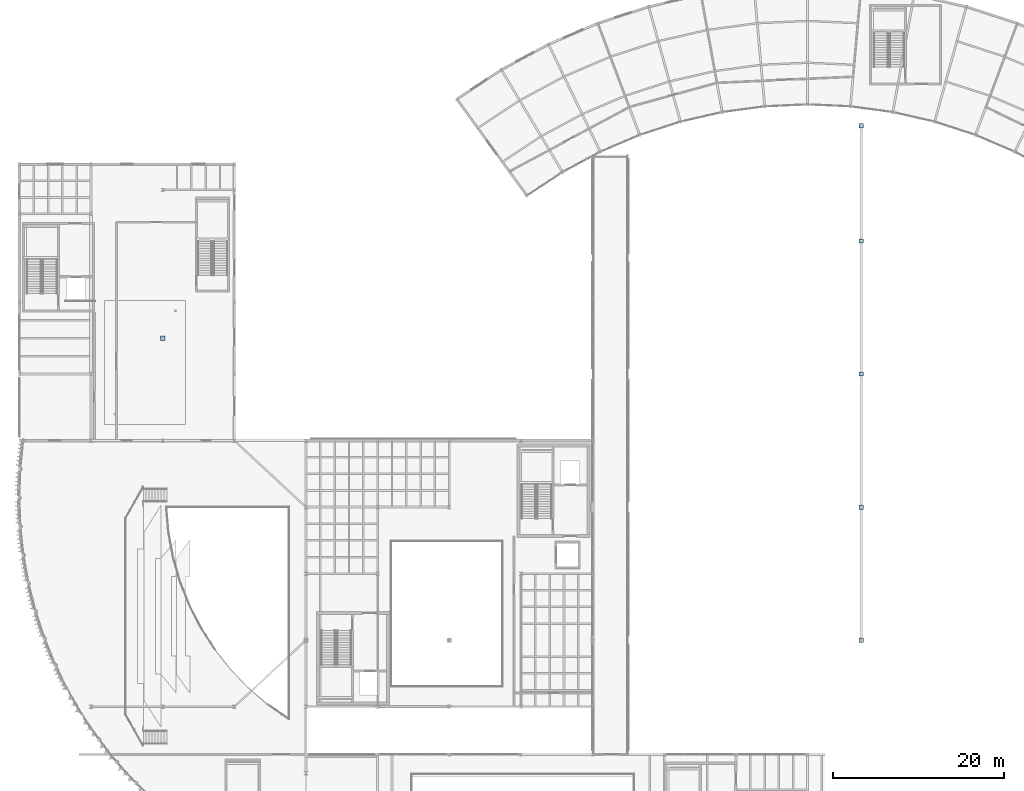
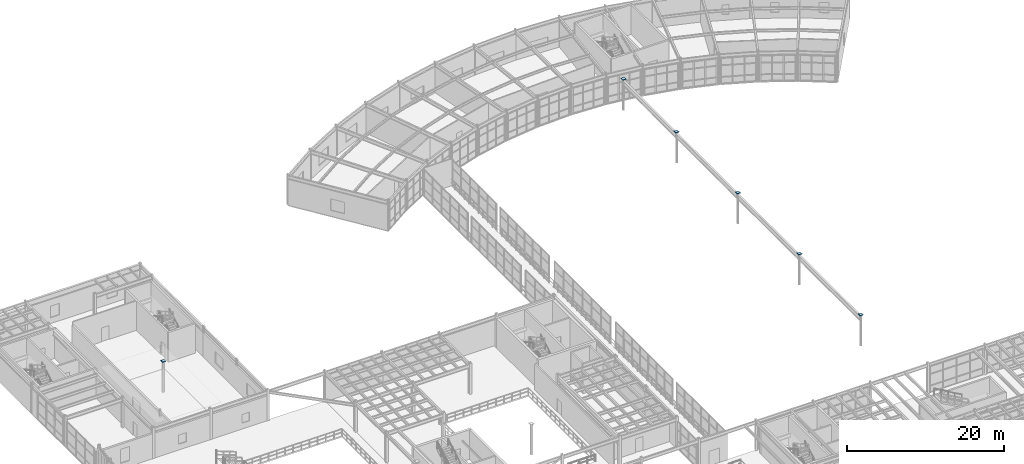
# One storey, part 93 of 116: 6 plates.
"""IFC4 building model written with IfcOpenShell, lengths in metres."""

import ifcopenshell
import ifcopenshell.guid

model = None  # the IFC model being written
_history = None  # IfcOwnerHistory: only IFC2X3 demands one
_inside = {}  # id of a spatial element -> (the spatial element, [elements in it])
_under = {}  # id of a project, library or spatial element -> (it, [spatial elements below it])
_declared = {}  # id of a project -> (the project, [libraries it declares])
_typed = {}  # id of a type object -> (the type object, [elements of that type])
_made_of = {}  # id of a material, layer set ... -> (it, [elements and type objects made of it])


def new_model(schema):
    """Start an empty IFC model of exactly this schema.

    Asked for "IFC4X3", IfcOpenShell would pick the latest addendum, in which some entities
    have other attributes; the version numbers below select the first issue.
    IFC2X3 requires an IfcOwnerHistory on every rooted entity: one is made here for all.
    """
    global model, _history
    if schema == "IFC4X3":
        model = ifcopenshell.file(schema_version=(4, 3, 0, 0))
    else:
        model = ifcopenshell.file(schema=schema)
    _inside.clear()
    _under.clear()
    _declared.clear()
    _typed.clear()
    _made_of.clear()
    _history = None
    if model.schema == "IFC2X3":
        org = make("IfcOrganization", Name="unknown")
        user = make(
            "IfcPersonAndOrganization",
            ThePerson=make("IfcPerson", FamilyName="unknown"),
            TheOrganization=org,
        )
        app = make(
            "IfcApplication",
            ApplicationDeveloper=org,
            Version="unknown",
            ApplicationFullName="unknown",
            ApplicationIdentifier="unknown",
        )
        _history = make(
            "IfcOwnerHistory",
            OwningUser=user,
            OwningApplication=app,
            ChangeAction="ADDED",
            CreationDate=0,
        )
    return model


def make(cls, **values):
    """One entity of the class cls with the attributes given. An attribute that is None is left unset."""
    return model.create_entity(
        cls, **{name: value for name, value in values.items() if value is not None}
    )


def rooted(cls, **values):
    """An entity with a GlobalId (a new one), such as an element, a storey or a relation."""
    return make(cls, GlobalId=ifcopenshell.guid.new(), OwnerHistory=_history, **values)


def si_unit(unit_type, name, prefix=None):
    """IfcSIUnit, for example si_unit("LENGTHUNIT", "METRE", prefix="MILLI")."""
    return make("IfcSIUnit", UnitType=unit_type, Prefix=prefix, Name=name)


def assignment(units):
    """IfcUnitAssignment: the units of a project."""
    return None if units is None else make("IfcUnitAssignment", Units=units)


def point(xyz):
    """IfcCartesianPoint."""
    return None if xyz is None else make("IfcCartesianPoint", Coordinates=xyz)


def direction(xyz):
    """IfcDirection."""
    return None if xyz is None else make("IfcDirection", DirectionRatios=xyz)


def frame(location, z_axis=None, x_axis=None):
    """IfcAxis2Placement3D, a coordinate frame: its origin and axes. An axis left out is left unset."""
    return make(
        "IfcAxis2Placement3D",
        Location=point(location),
        Axis=direction(z_axis),
        RefDirection=direction(x_axis),
    )


def frame_2d(location, x_axis=None):
    """IfcAxis2Placement2D, a coordinate frame in the plane: its origin and x axis."""
    return make(
        "IfcAxis2Placement2D", Location=point(location), RefDirection=direction(x_axis)
    )


def origin():
    """The frame at (0, 0, 0) with its axes left unset."""
    return frame((0.0, 0.0, 0.0))


def origin_2d():
    """The frame at (0, 0) in the plane with its x axis left unset."""
    return frame_2d((0.0, 0.0))


def place(relative_to, where):
    """IfcLocalPlacement: puts the frame where relative to a parent placement (None: the world)."""
    return make(
        "IfcLocalPlacement", PlacementRelTo=relative_to, RelativePlacement=where
    )


def context(
    kind, dimensions, precision=None, world=None, true_north=None, identifier=None
):
    """IfcGeometricRepresentationContext, for example the 3D "Model" context."""
    return make(
        "IfcGeometricRepresentationContext",
        ContextIdentifier=identifier,
        ContextType=kind,
        CoordinateSpaceDimension=dimensions,
        Precision=precision,
        WorldCoordinateSystem=world,
        TrueNorth=true_north,
    )


def subcontext(parent, identifier, kind, view, scale=None):
    """IfcGeometricRepresentationSubContext, for example "Body" below "Model"."""
    return make(
        "IfcGeometricRepresentationSubContext",
        ContextIdentifier=identifier,
        ContextType=kind,
        ParentContext=parent,
        TargetScale=scale,
        TargetView=view,
    )


def project(units=None, contexts=None):
    """IfcProject with its units and contexts."""
    return rooted(
        "IfcProject",
        Name="project",
        RepresentationContexts=contexts,
        UnitsInContext=assignment(units),
    )


def spatial(cls, under=None, at=None, **own):
    """A site, building, storey or space (cls), placed at a placement, below another one or the project."""
    s = rooted(cls, ObjectPlacement=at, **own)
    if under is not None:
        _under.setdefault(under.id(), (under, []))[1].append(s)
    return s


def profile(cls, at=None, kind="AREA", **sizes):
    """A parametric profile (cls). Its sizes go by their IFC names, for example OverallWidth=200.0."""
    return make(cls, ProfileType=kind, Position=at, **sizes)


def rectangle(**sizes):
    """IfcRectangleProfileDef."""
    return profile("IfcRectangleProfileDef", **sizes)


def extrude(swept, where, along, depth):
    """IfcExtrudedAreaSolid: the profile swept, set in the frame where, extruded along a direction by depth."""
    return make(
        "IfcExtrudedAreaSolid",
        SweptArea=swept,
        Position=where,
        ExtrudedDirection=direction(along),
        Depth=depth,
    )


def shape(context_of_items, identifier, shape_type, items):
    """IfcShapeRepresentation: the items that make up one representation, for example the "Body"."""
    return make(
        "IfcShapeRepresentation",
        ContextOfItems=context_of_items,
        RepresentationIdentifier=identifier,
        RepresentationType=shape_type,
        Items=items,
    )


def material(Name=None, Category=None):
    """IfcMaterial."""
    return make("IfcMaterial", Name=Name, Category=Category)


def layer(
    of_material, thickness, ventilated=None, Name=None, Category=None, Priority=None
):
    """IfcMaterialLayer: one layer of a wall or slab, of a material (None: an air gap)."""
    return make(
        "IfcMaterialLayer",
        Material=of_material,
        LayerThickness=thickness,
        IsVentilated=ventilated,
        Name=Name,
        Category=Category,
        Priority=Priority,
    )


def layer_set(layers, Name=None):
    """IfcMaterialLayerSet."""
    return make("IfcMaterialLayerSet", MaterialLayers=layers, LayerSetName=Name)


def made_of(thing, what):
    """Note that an element or type object is made of a material, layer set ...; save() writes the relation."""
    if what is not None:
        _made_of.setdefault(what.id(), (what, []))[1].append(thing)
    return thing


def type_object(cls, material=None, **own):
    """A type object (cls), such as IfcWallType, which elements share."""
    return made_of(rooted(cls, **own), material)


def element(
    cls,
    number,
    at=None,
    inside=None,
    cuts=None,
    type_object=None,
    material=None,
    context=None,
    identifier="Body",
    shape_type=None,
    held_by="IfcProductDefinitionShape",
    body=None,
    shapes=None,
    **own,
):
    """One element of the class cls, such as IfcWall. Its Tag is "e" and its number.

    at: its placement. inside: the storey or other place that contains it. cuts: it is an
    opening in that element (IfcRelVoidsElement). A single representation is given by context,
    identifier, shape_type and body (its items); several are given by shapes. held_by: the class
    of the entity that holds the representations. save() writes the other relations.
    """
    e = rooted(cls, Tag="e%d" % number, ObjectPlacement=at, **own)
    if body is not None:
        shapes = [shape(context, identifier, shape_type, body)]
    if shapes is not None:
        e.Representation = make(held_by, Representations=shapes)
    if inside is not None:
        _inside.setdefault(inside.id(), (inside, []))[1].append(e)
    if cuts is not None:
        rooted(
            "IfcRelVoidsElement", RelatingBuildingElement=cuts, RelatedOpeningElement=e
        )
    if type_object is not None:
        _typed.setdefault(type_object.id(), (type_object, []))[1].append(e)
    return made_of(e, material)


def aggregate(whole, parts):
    """IfcRelAggregates: a whole, such as a stair, and the parts it consists of."""
    return rooted("IfcRelAggregates", RelatingObject=whole, RelatedObjects=parts)


def save(model, path):
    """Write the relations noted so far, then the file.

    IfcRelAggregates (storeys below a building ...), IfcRelContainedInSpatialStructure (elements
    in a storey), IfcRelDefinesByType, IfcRelAssociatesMaterial and IfcRelDeclares: one each for
    every whole, place, type object, material and project.
    """
    for whole, parts in _under.values():
        aggregate(whole, parts)
    for where, things in _inside.values():
        rooted(
            "IfcRelContainedInSpatialStructure",
            RelatedElements=things,
            RelatingStructure=where,
        )
    for kind, things in _typed.values():
        rooted("IfcRelDefinesByType", RelatedObjects=things, RelatingType=kind)
    for what, things in _made_of.values():
        rooted("IfcRelAssociatesMaterial", RelatedObjects=things, RelatingMaterial=what)
    for by, libraries in _declared.values():
        rooted("IfcRelDeclares", RelatingContext=by, RelatedDefinitions=libraries)
    model.write(path)


model = new_model("IFC4")

# Units and contexts
model_context = context("Model", 3, precision=1e-05, world=origin(), true_north=direction((0.0, 1.0)))
body_context = subcontext(model_context, "Body", "Model", "MODEL_VIEW")
ifc_project = project(units=[si_unit("LENGTHUNIT", "METRE"), si_unit("AREAUNIT", "SQUARE_METRE"), si_unit("VOLUMEUNIT", "CUBIC_METRE"), si_unit("PLANEANGLEUNIT", "RADIAN"), si_unit("MASSUNIT", "GRAM", prefix="KILO")], contexts=[model_context])

# Site, building, storey
site_placement = place(None, origin())
site = spatial("IfcSite", under=ifc_project, at=site_placement, CompositionType="ELEMENT")
building_placement = place(site_placement, origin())
building = spatial("IfcBuilding", under=site, at=building_placement, Name="Selat Folded Stagehouse", CompositionType="ELEMENT")
storey_placement = place(building_placement, frame((0.0, 0.0, 5.39990234375)))
storey = spatial("IfcBuildingStorey", under=building, at=storey_placement, Name="L01", CompositionType="ELEMENT", Elevation=5.39990234375)

# Plates
ifc_material = material(Name="Steel S355", Category="steel")
ifc_layer = layer(ifc_material, 0.02490234375)
ifc_layer_set = layer_set([ifc_layer], Name="Steel S355")
plate_type = type_object("IfcPlateType", Name="PLT-BASE-500x500x25", PredefinedType="USERDEFINED", material=ifc_layer_set)
for number, where, z_axis, x_axis, name in (
    (1, (98.699951171875, 31.199951171875, 4.800048828125), (0.0, 0.0, 1.0), (1.0, 0.0, 0.0), "Hollow column end cap plate STK-BR2-312"),
    (2, (98.699951171875, 46.800048828125, 4.800048828125), (0.0, 0.0, 1.0), (1.0, 0.0, 0.0), "Hollow column end cap plate STK-BR2-468"),
    (3, (98.699951171875, 62.39990234375, 4.800048828125), (0.0, 0.0, 1.0), (1.0, 0.0, 0.0), "Hollow column end cap plate STK-BR2-624"),
    (4, (98.699951171875, 78.0, 4.800048828125), (0.0, 0.0, 1.0), (1.0, 0.0, 0.0), "Hollow column end cap plate STK-BR2-780"),
    (5, (98.699951171875, 91.5, 4.800048828125), (0.0, 0.0, 1.0), (1.0, 0.0, 0.0), "Hollow column end cap plate STK-BR2-915"),
    (6, (16.800048828125, 66.60009765625, 4.800048828125), (0.0, 0.0, 1.0), (1.0, 0.0, 0.0), "Pilaster hollow end cap plate 5"),
):
    element("IfcPlate", number, at=place(storey_placement, frame(where, z_axis=z_axis, x_axis=x_axis)), inside=storey, type_object=plate_type, Name=name, ObjectType="BASE_PLATE", PredefinedType="USERDEFINED", context=body_context, shape_type="SweptSolid", body=[
        extrude(rectangle(XDim=0.5, YDim=0.5, at=origin_2d()), origin(), (0.0, 0.0, 1.0), 0.02490234375),
    ])

save(model, "model.ifc")
